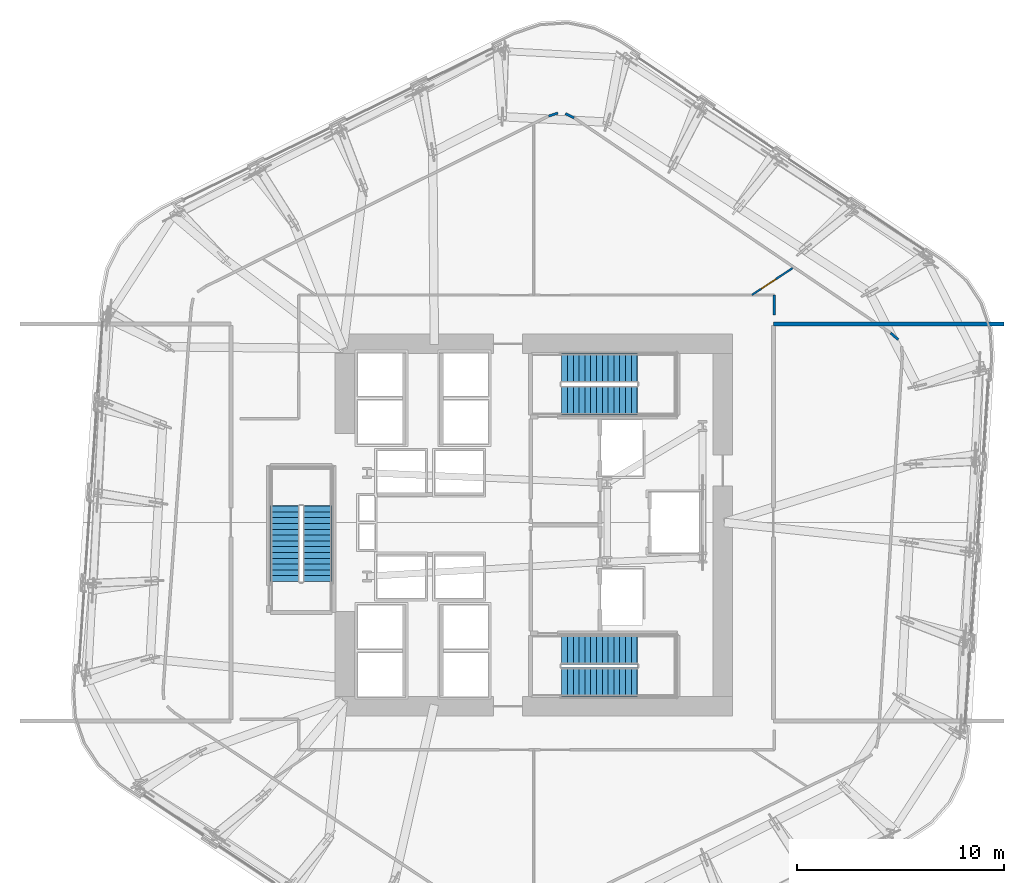
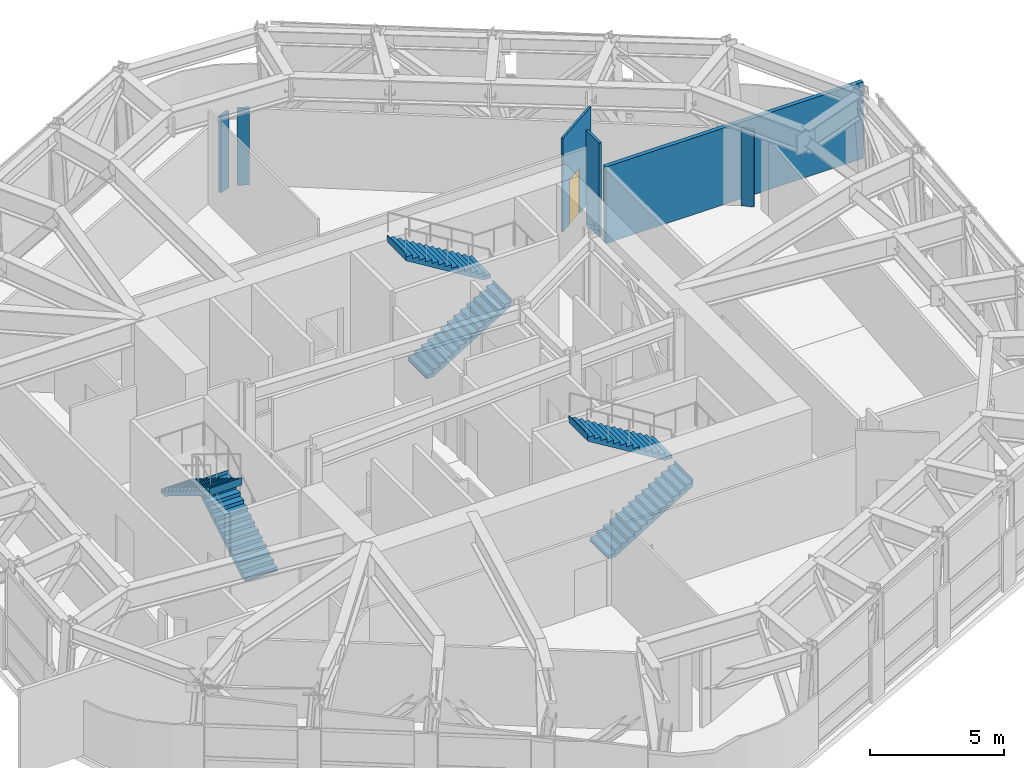
# One storey, part 10 of 14: 6 stair flights, 6 walls, 1 door, 1 opening, 3 elements without a shape of their own.
"""IFC4 building model written with IfcOpenShell, lengths in metres."""

from ifc_helpers import new_model, si_unit, direction, frame, frame_2d, origin, place, context, subcontext, project, spatial, polyline, rectangle, outline, extrude, material, layer, layer_set, type_object, element, fill, aggregate, save


model = new_model("IFC4")

# Units and contexts
model_context = context("Model", 3, precision=1e-05, world=origin(), true_north=direction((0.0, 1.0)))
body_context = subcontext(model_context, "Body", "Model", "MODEL_VIEW")
ifc_project = project(units=[si_unit("LENGTHUNIT", "METRE"), si_unit("AREAUNIT", "SQUARE_METRE"), si_unit("VOLUMEUNIT", "CUBIC_METRE"), si_unit("PLANEANGLEUNIT", "RADIAN"), si_unit("MASSUNIT", "GRAM", prefix="KILO")], contexts=[model_context])

# Site, building, storey
site_placement = place(None, origin())
site = spatial("IfcSite", under=ifc_project, at=site_placement, CompositionType="ELEMENT")
building_placement = place(site_placement, origin())
building = spatial("IfcBuilding", under=site, at=building_placement, Name="Valkerne Bourse Tower", CompositionType="ELEMENT")
storey_placement = place(building_placement, frame((0.0, 0.0, 135.199951171875)))
storey = spatial("IfcBuildingStorey", under=building, at=storey_placement, Name="L34", CompositionType="ELEMENT", Elevation=135.199951171875)

# Walls
ifc_material_1 = material(Name="Gypsum Board Steel-Stud Partition", Category="steel")
ifc_layer_1 = layer(ifc_material_1, 0.117919921875)
ifc_layer_set_1 = layer_set([ifc_layer_1], Name="Gypsum Board Steel-Stud Partition")
wall_type_1 = type_object("IfcWallType", Name="W-CORR-140", PredefinedType="PARTITIONING", material=ifc_layer_set_1)
wall_1_placement = place(storey_placement, frame((47.519287109375, 46.616943359375, 0.0), z_axis=(0.0, 0.0, 1.0), x_axis=(0.947687662087, 0.319199146504, 0.0)))
element("IfcWall", 1, at=wall_1_placement, inside=storey, type_object=wall_type_1, Name="L34 L34 Outrigger Truss Gallery Ring Wall", PredefinedType="PARTITIONING", context=body_context, shape_type="SweptSolid", body=[
    extrude(rectangle(XDim=0.468017578125, YDim=0.117919921875, at=frame_2d((0.23388671875, 0.0))), origin(), (0.0, 0.0, 1.0), 3.503173828125),
])
wall_2_placement = place(storey_placement, frame((48.330322265625, 46.7412109375, 0.0), z_axis=(0.0, 0.0, 1.0), x_axis=(0.895882535091, -0.444290989463, 0.0)))
element("IfcWall", 2, at=wall_2_placement, inside=storey, type_object=wall_type_1, Name="L34 L34 Outrigger Truss Gallery Ring Wall", PredefinedType="PARTITIONING", context=body_context, shape_type="SweptSolid", body=[
    extrude(rectangle(XDim=0.46826171875, YDim=0.117919921875, at=frame_2d((0.234130859375, 0.0))), origin(), (0.0, 0.0, 1.0), 3.503173828125),
])
wall_3_placement = place(storey_placement, frame((64.02587890625, 36.14990234375, 0.0), z_axis=(0.0, 0.0, 1.0), x_axis=(0.750142023197, -0.661276753738, 0.0)))
element("IfcWall", 3, at=wall_3_placement, inside=storey, type_object=wall_type_1, Name="L34 L34 Outrigger Truss Gallery Ring Wall", PredefinedType="PARTITIONING", context=body_context, shape_type="SweptSolid", body=[
    extrude(rectangle(XDim=0.49169921875, YDim=0.117919921875, at=frame_2d((0.245849609375, 0.0))), origin(), (0.0, 0.0, 1.0), 3.503173828125),
])
wall_4_placement = place(storey_placement, frame((58.419921875, 37.97998046875, 0.0), z_axis=(0.0, 0.0, 1.0), x_axis=(0.0, -1.0, 0.0)))
element("IfcWall", 4, at=wall_4_placement, inside=storey, type_object=wall_type_1, Name="L34 Corridor Enclosure Wall", PredefinedType="PARTITIONING", context=body_context, shape_type="SweptSolid", body=[
    extrude(rectangle(XDim=0.971435546875, YDim=0.117919921875, at=frame_2d((0.48583984375, 0.0))), origin(), (0.0, 0.0, 1.0), 4.280029296875),
])
ifc_material_2 = material(Name="Gypsum Fire-Rated Shaftwall", Category="gypsum")
ifc_layer_2 = layer(ifc_material_2, 0.179931640625)
ifc_layer_set_2 = layer_set([ifc_layer_2], Name="Gypsum Fire-Rated Shaftwall")
wall_type_2 = type_object("IfcWallType", Name="W-FSAE-180", PredefinedType="PARTITIONING", material=ifc_layer_set_2)
wall_5_placement = place(storey_placement, frame((58.3701171875, 36.580078125, 0.0), z_axis=(0.0, 0.0, 1.0), x_axis=(1.0, 0.0, 0.0)))
element("IfcWall", 5, at=wall_5_placement, inside=storey, type_object=wall_type_2, Name="L34 L34 East Sky Refuge North Wall", PredefinedType="PARTITIONING", context=body_context, shape_type="SweptSolid", body=[
    extrude(rectangle(XDim=11.1298828125, YDim=0.179931640625, at=frame_2d((5.56494140625, 0.0))), origin(), (0.0, 0.0, 1.0), 3.503173828125),
])

# Wall, opening, door
ifc_layer_3 = layer(ifc_material_1, 0.092041015625)
ifc_layer_set_3 = layer_set([ifc_layer_3], Name="Gypsum Board Steel-Stud Partition")
wall_type_3 = type_object("IfcWallType", Name="W-PART-115", PredefinedType="PARTITIONING", material=ifc_layer_set_3)
wall_6_placement = place(storey_placement, frame((57.333740234375, 37.985107421875, 0.0), z_axis=(0.0, 0.0, 1.0), x_axis=(0.834312288468, 0.55129212339, 0.0)))
wall_6 = element("IfcWall", 6, at=wall_6_placement, inside=storey, type_object=wall_type_3, Name="L34 Suite Partition P06", PredefinedType="PARTITIONING", context=body_context, shape_type="SweptSolid", body=[
    extrude(rectangle(XDim=2.3505859375, YDim=0.092041015625, at=frame_2d((1.17529296875, 0.0))), origin(), (0.0, 0.0, 1.0), 4.280029296875),
])
opening_placement = place(wall_6_placement, frame((0.521728515625, 0.0, 0.0)))
opening = element("IfcOpeningElement", 7, at=opening_placement, cuts=wall_6, Name="Opening D-WC-900", PredefinedType="OPENING", context=body_context, shape_type="SweptSolid", body=[
    extrude(rectangle(XDim=0.860107421875, YDim=2.050048828125, at=frame_2d((0.43017578125, 1.02490234375))), frame((0.0, 0.055908203125, 0.0), z_axis=(0.0, -1.0, 0.0), x_axis=(1.0, 0.0, 0.0)), (0.0, 0.0, 1.0), 0.112060546875),
])
ifc_material_3 = material(Name="Architectural White Oak Timber", Category="wood")
door_type = type_object("IfcDoorType", Name="DR-WC-900", OperationType="NOTDEFINED", PredefinedType="DOOR", material=ifc_material_3)
door_placement = place(opening_placement, origin())
door = element("IfcDoor", 8, at=door_placement, inside=storey, type_object=door_type, Name="L34 L34 Sprinkler Reserve & Booster Pump Plant Room 4 Suite Door", OperationType="SINGLE_SWING_RIGHT", OverallHeight=2.050048828125, OverallWidth=0.860107421875, PredefinedType="DOOR", context=body_context, shape_type="SweptSolid", body=[
    extrude(rectangle(XDim=0.860107421875, YDim=2.050048828125, at=frame_2d((0.43017578125, 1.02490234375))), frame((0.0, 0.02490234375, 0.0), z_axis=(0.0, -1.0, 0.0), x_axis=(1.0, 0.0, 0.0)), (0.0, 0.0, 1.0), 0.050048828125),
])
fill(opening, door)

# Stair, stair flights
ifc_material_4 = material(Name="Concrete C40/50", Category="concrete")
stair_type = type_object("IfcStairType", Name="ST-CORE-1400", PredefinedType="HALF_TURN_STAIR", material=ifc_material_4)
stair_1_placement = place(storey_placement, origin())
stair_1 = element("IfcStair", 9, at=stair_1_placement, inside=storey, type_object=stair_type, Name="L34 ST-1", PredefinedType="HALF_TURN_STAIR")
stair_flight_type = type_object("IfcStairFlightType", Name="STF-CORE-1400", PredefinedType="STRAIGHT", material=ifc_material_4)
stair_flight_1_placement = place(storey_placement, frame((48.14990234375, 19.300048828125, 0.0), z_axis=(0.0, 0.0, 1.0), x_axis=(1.0, 0.0, 0.0)))
stair_flight_1 = element("IfcStairFlight", 10, at=stair_flight_1_placement, type_object=stair_flight_type, Name="ST-1 flight 1", NumberOfRisers=14, NumberOfTreads=13, PredefinedType="STRAIGHT", RiserHeight=0.171428571, TreadLength=0.28, context=body_context, shape_type="SweptSolid", body=[
    extrude(outline(polyline([(-0.02001953125, 0.0), (-0.02001953125, 0.044921875), (0.0, 0.044921875), (0.0, 0.17138671875), (0.280029296875, 0.17138671875), (0.280029296875, 0.3427734375), (0.56005859375, 0.3427734375), (0.56005859375, 0.514404296875), (0.840087890625, 0.514404296875), (0.840087890625, 0.685791015625), (1.1201171875, 0.685791015625), (1.1201171875, 0.857177734375), (1.39990234375, 0.857177734375), (1.39990234375, 1.028564453125), (1.679931640625, 1.028564453125), (1.679931640625, 1.199951171875), (1.9599609375, 1.199951171875), (1.9599609375, 1.371337890625), (2.239990234375, 1.371337890625), (2.239990234375, 1.54296875), (2.52001953125, 1.54296875), (2.52001953125, 1.71435546875), (2.800048828125, 1.71435546875), (2.800048828125, 1.8857421875), (3.080078125, 1.8857421875), (3.080078125, 2.05712890625), (3.360107421875, 2.05712890625), (3.360107421875, 2.228515625), (3.639892578125, 2.228515625), (3.639892578125, 2.39990234375), (3.659912109375, 2.39990234375), (3.659912109375, 2.280029296875), (3.639892578125, 2.052734375), (0.287109375, 0.0), (-0.02001953125, 0.0)])), frame((0.0, 0.699951171875, 0.0), z_axis=(0.0, -1.0, 0.0), x_axis=(1.0, 0.0, 0.0)), (0.0, 0.0, 1.0), 1.39990234375),
])
stair_flight_2_placement = place(storey_placement, frame((51.7900390625, 20.85009765625, 2.400146484375), z_axis=(0.0, 0.0, 1.0), x_axis=(-1.0, 0.0, 0.0)))
stair_flight_2 = element("IfcStairFlight", 11, at=stair_flight_2_placement, type_object=stair_flight_type, Name="ST-1 flight 2", NumberOfRisers=14, NumberOfTreads=13, PredefinedType="STRAIGHT", RiserHeight=0.171428571, TreadLength=0.28, context=body_context, shape_type="SweptSolid", body=[
    extrude(outline(polyline([(-0.02001953125, 0.0), (-0.02001953125, 0.044921875), (0.0, 0.044921875), (0.0, 0.17138671875), (0.280029296875, 0.17138671875), (0.280029296875, 0.3427734375), (0.56005859375, 0.3427734375), (0.56005859375, 0.514404296875), (0.840087890625, 0.514404296875), (0.840087890625, 0.685791015625), (1.1201171875, 0.685791015625), (1.1201171875, 0.857177734375), (1.39990234375, 0.857177734375), (1.39990234375, 1.028564453125), (1.679931640625, 1.028564453125), (1.679931640625, 1.199951171875), (1.9599609375, 1.199951171875), (1.9599609375, 1.371337890625), (2.239990234375, 1.371337890625), (2.239990234375, 1.54296875), (2.52001953125, 1.54296875), (2.52001953125, 1.71435546875), (2.800048828125, 1.71435546875), (2.800048828125, 1.8857421875), (3.080078125, 1.8857421875), (3.080078125, 2.05712890625), (3.360107421875, 2.05712890625), (3.360107421875, 2.228515625), (3.639892578125, 2.228515625), (3.639892578125, 2.39990234375), (3.659912109375, 2.39990234375), (3.659912109375, 2.280029296875), (3.639892578125, 2.052734375), (0.287109375, 0.0), (-0.02001953125, 0.0)])), frame((0.0, 0.699951171875, 0.0), z_axis=(0.0, -1.0, 0.0), x_axis=(1.0, 0.0, 0.0)), (0.0, 0.0, 1.0), 1.39990234375),
])
aggregate(stair_1, [stair_flight_1, stair_flight_2])

stair_2_placement = place(storey_placement, origin())
stair_2 = element("IfcStair", 12, at=stair_2_placement, inside=storey, type_object=stair_type, Name="L34 ST-2", PredefinedType="HALF_TURN_STAIR")
stair_flight_3_placement = place(storey_placement, frame((48.14990234375, 32.89990234375, 0.0), z_axis=(0.0, 0.0, 1.0), x_axis=(1.0, 0.0, 0.0)))
stair_flight_3 = element("IfcStairFlight", 13, at=stair_flight_3_placement, type_object=stair_flight_type, Name="ST-2 flight 1", NumberOfRisers=14, NumberOfTreads=13, PredefinedType="STRAIGHT", RiserHeight=0.171428571, TreadLength=0.28, context=body_context, shape_type="SweptSolid", body=[
    extrude(outline(polyline([(-0.02001953125, 0.0), (-0.02001953125, 0.044921875), (0.0, 0.044921875), (0.0, 0.17138671875), (0.280029296875, 0.17138671875), (0.280029296875, 0.3427734375), (0.56005859375, 0.3427734375), (0.56005859375, 0.514404296875), (0.840087890625, 0.514404296875), (0.840087890625, 0.685791015625), (1.1201171875, 0.685791015625), (1.1201171875, 0.857177734375), (1.39990234375, 0.857177734375), (1.39990234375, 1.028564453125), (1.679931640625, 1.028564453125), (1.679931640625, 1.199951171875), (1.9599609375, 1.199951171875), (1.9599609375, 1.371337890625), (2.239990234375, 1.371337890625), (2.239990234375, 1.54296875), (2.52001953125, 1.54296875), (2.52001953125, 1.71435546875), (2.800048828125, 1.71435546875), (2.800048828125, 1.8857421875), (3.080078125, 1.8857421875), (3.080078125, 2.05712890625), (3.360107421875, 2.05712890625), (3.360107421875, 2.228515625), (3.639892578125, 2.228515625), (3.639892578125, 2.39990234375), (3.659912109375, 2.39990234375), (3.659912109375, 2.280029296875), (3.639892578125, 2.052734375), (0.287109375, 0.0), (-0.02001953125, 0.0)])), frame((0.0, 0.699951171875, 0.0), z_axis=(0.0, -1.0, 0.0), x_axis=(1.0, 0.0, 0.0)), (0.0, 0.0, 1.0), 1.39990234375),
])
stair_flight_4_placement = place(storey_placement, frame((51.7900390625, 34.449951171875, 2.400146484375), z_axis=(0.0, 0.0, 1.0), x_axis=(-1.0, 0.0, 0.0)))
stair_flight_4 = element("IfcStairFlight", 14, at=stair_flight_4_placement, type_object=stair_flight_type, Name="ST-2 flight 2", NumberOfRisers=14, NumberOfTreads=13, PredefinedType="STRAIGHT", RiserHeight=0.171428571, TreadLength=0.28, context=body_context, shape_type="SweptSolid", body=[
    extrude(outline(polyline([(-0.02001953125, 0.0), (-0.02001953125, 0.044921875), (0.0, 0.044921875), (0.0, 0.17138671875), (0.280029296875, 0.17138671875), (0.280029296875, 0.3427734375), (0.56005859375, 0.3427734375), (0.56005859375, 0.514404296875), (0.840087890625, 0.514404296875), (0.840087890625, 0.685791015625), (1.1201171875, 0.685791015625), (1.1201171875, 0.857177734375), (1.39990234375, 0.857177734375), (1.39990234375, 1.028564453125), (1.679931640625, 1.028564453125), (1.679931640625, 1.199951171875), (1.9599609375, 1.199951171875), (1.9599609375, 1.371337890625), (2.239990234375, 1.371337890625), (2.239990234375, 1.54296875), (2.52001953125, 1.54296875), (2.52001953125, 1.71435546875), (2.800048828125, 1.71435546875), (2.800048828125, 1.8857421875), (3.080078125, 1.8857421875), (3.080078125, 2.05712890625), (3.360107421875, 2.05712890625), (3.360107421875, 2.228515625), (3.639892578125, 2.228515625), (3.639892578125, 2.39990234375), (3.659912109375, 2.39990234375), (3.659912109375, 2.280029296875), (3.639892578125, 2.052734375), (0.287109375, 0.0), (-0.02001953125, 0.0)])), frame((0.0, 0.699951171875, 0.0), z_axis=(0.0, -1.0, 0.0), x_axis=(1.0, 0.0, 0.0)), (0.0, 0.0, 1.0), 1.39990234375),
])
aggregate(stair_2, [stair_flight_3, stair_flight_4])

stair_3_placement = place(storey_placement, origin())
stair_3 = element("IfcStair", 15, at=stair_3_placement, inside=storey, type_object=stair_type, Name="L34 ST-3", PredefinedType="HALF_TURN_STAIR")
stair_flight_5_placement = place(storey_placement, frame((36.35009765625, 24.14990234375, 0.0), z_axis=(0.0, 0.0, 1.0), x_axis=(0.0, 1.0, 0.0)))
stair_flight_5 = element("IfcStairFlight", 16, at=stair_flight_5_placement, type_object=stair_flight_type, Name="ST-3 flight 1", NumberOfRisers=14, NumberOfTreads=13, PredefinedType="STRAIGHT", RiserHeight=0.171428571, TreadLength=0.28, context=body_context, shape_type="SweptSolid", body=[
    extrude(outline(polyline([(-0.02001953125, 0.0), (-0.02001953125, 0.044921875), (0.0, 0.044921875), (0.0, 0.17138671875), (0.280029296875, 0.17138671875), (0.280029296875, 0.3427734375), (0.56005859375, 0.3427734375), (0.56005859375, 0.514404296875), (0.840087890625, 0.514404296875), (0.840087890625, 0.685791015625), (1.1201171875, 0.685791015625), (1.1201171875, 0.857177734375), (1.39990234375, 0.857177734375), (1.39990234375, 1.028564453125), (1.679931640625, 1.028564453125), (1.679931640625, 1.199951171875), (1.9599609375, 1.199951171875), (1.9599609375, 1.371337890625), (2.239990234375, 1.371337890625), (2.239990234375, 1.54296875), (2.52001953125, 1.54296875), (2.52001953125, 1.71435546875), (2.800048828125, 1.71435546875), (2.800048828125, 1.8857421875), (3.080078125, 1.8857421875), (3.080078125, 2.05712890625), (3.360107421875, 2.05712890625), (3.360107421875, 2.228515625), (3.639892578125, 2.228515625), (3.639892578125, 2.39990234375), (3.659912109375, 2.39990234375), (3.659912109375, 2.280029296875), (3.639892578125, 2.052734375), (0.287109375, 0.0), (-0.02001953125, 0.0)])), frame((0.0, 0.699951171875, 0.0), z_axis=(0.0, -1.0, 0.0), x_axis=(1.0, 0.0, 0.0)), (0.0, 0.0, 1.0), 1.39990234375),
])
stair_flight_6_placement = place(storey_placement, frame((34.800048828125, 27.7900390625, 2.400146484375), z_axis=(0.0, 0.0, 1.0), x_axis=(0.0, -1.0, 0.0)))
stair_flight_6 = element("IfcStairFlight", 17, at=stair_flight_6_placement, type_object=stair_flight_type, Name="ST-3 flight 2", NumberOfRisers=14, NumberOfTreads=13, PredefinedType="STRAIGHT", RiserHeight=0.171428571, TreadLength=0.28, context=body_context, shape_type="SweptSolid", body=[
    extrude(outline(polyline([(-0.02001953125, 0.0), (-0.02001953125, 0.044921875), (0.0, 0.044921875), (0.0, 0.17138671875), (0.280029296875, 0.17138671875), (0.280029296875, 0.3427734375), (0.56005859375, 0.3427734375), (0.56005859375, 0.514404296875), (0.840087890625, 0.514404296875), (0.840087890625, 0.685791015625), (1.1201171875, 0.685791015625), (1.1201171875, 0.857177734375), (1.39990234375, 0.857177734375), (1.39990234375, 1.028564453125), (1.679931640625, 1.028564453125), (1.679931640625, 1.199951171875), (1.9599609375, 1.199951171875), (1.9599609375, 1.371337890625), (2.239990234375, 1.371337890625), (2.239990234375, 1.54296875), (2.52001953125, 1.54296875), (2.52001953125, 1.71435546875), (2.800048828125, 1.71435546875), (2.800048828125, 1.8857421875), (3.080078125, 1.8857421875), (3.080078125, 2.05712890625), (3.360107421875, 2.05712890625), (3.360107421875, 2.228515625), (3.639892578125, 2.228515625), (3.639892578125, 2.39990234375), (3.659912109375, 2.39990234375), (3.659912109375, 2.280029296875), (3.639892578125, 2.052734375), (0.287109375, 0.0), (-0.02001953125, 0.0)])), frame((0.0, 0.699951171875, 0.0), z_axis=(0.0, -1.0, 0.0), x_axis=(1.0, 0.0, 0.0)), (0.0, 0.0, 1.0), 1.39990234375),
])
aggregate(stair_3, [stair_flight_5, stair_flight_6])

save(model, "model.ifc")
